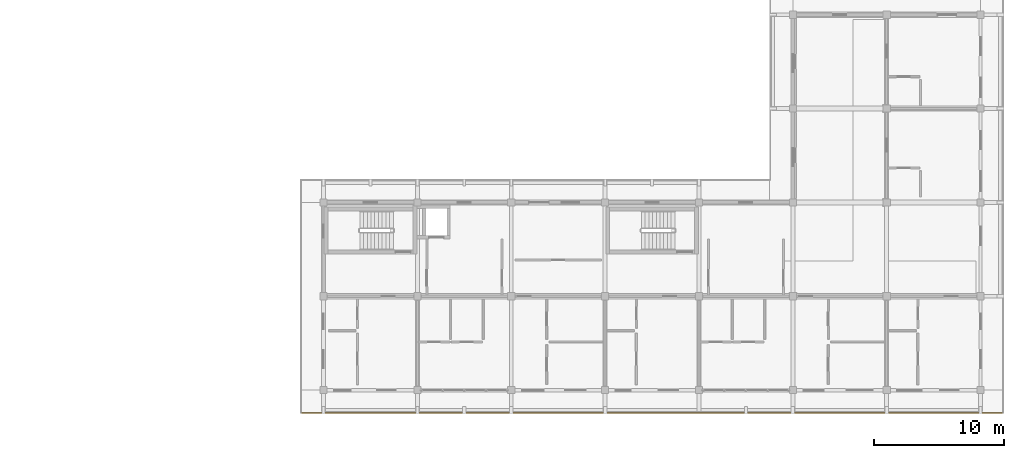
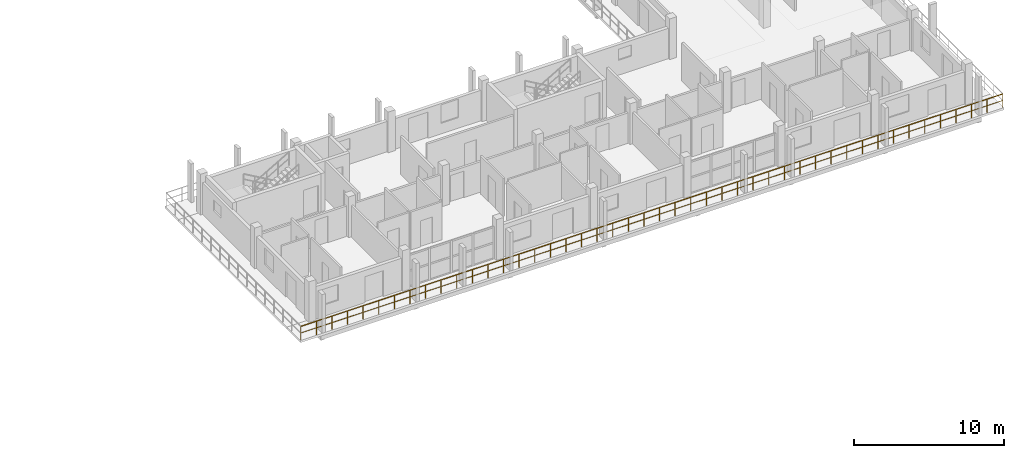
# One storey, part 55 of 60: 1 railing.
"""IFC4 building model written with IfcOpenShell, lengths in metres."""

from ifc_helpers import new_model, si_unit, direction, frame, origin, origin_2d, place, context, subcontext, project, spatial, rectangle, extrude, material, type_object, element, save


model = new_model("IFC4")

# Units and contexts
model_context = context("Model", 3, precision=1e-05, world=origin(), true_north=direction((0.0, 1.0)))
body_context = subcontext(model_context, "Body", "Model", "MODEL_VIEW")
ifc_project = project(units=[si_unit("LENGTHUNIT", "METRE"), si_unit("AREAUNIT", "SQUARE_METRE"), si_unit("VOLUMEUNIT", "CUBIC_METRE"), si_unit("PLANEANGLEUNIT", "RADIAN"), si_unit("MASSUNIT", "GRAM", prefix="KILO")], contexts=[model_context])

# Site, building, storey
site_placement = place(None, origin())
site = spatial("IfcSite", under=ifc_project, at=site_placement, CompositionType="ELEMENT")
building_placement = place(site_placement, origin())
building = spatial("IfcBuilding", under=site, at=building_placement, Name="Suanplinth Sawtooth Commons", CompositionType="ELEMENT")
storey_placement = place(building_placement, frame((0.0, 0.0, 31.5)))
storey = spatial("IfcBuildingStorey", under=building, at=storey_placement, Name="L09", CompositionType="ELEMENT", Elevation=31.5)

# Railing
ifc_material = material(Name="Powder-coated galvanized steel", Category="steel")
railing_type = type_object("IfcRailingType", Name="GR-01", PredefinedType="BALUSTRADE", material=ifc_material)
railing_placement = place(storey_placement, frame((188.93994140625, -1.739990234375, 0.0)))
element("IfcRailing", 1, at=railing_placement, inside=storey, type_object=railing_type, Name="L09 Block C Perimeter Balustrade 6", PredefinedType="BALUSTRADE", context=body_context, shape_type="SweptSolid", body=[
    extrude(rectangle(XDim=0.048095703125, YDim=0.048095703125, at=origin_2d()), frame((0.0, 0.0, 1.09619140625), z_axis=(-1.0, 0.0, 0.0), x_axis=(0.0, -1.0, 0.0)), (0.0, 0.0, 1.0), 53.8798828125),
    extrude(rectangle(XDim=0.03369140625, YDim=0.03369140625, at=origin_2d()), frame((0.0, 0.0, 0.56005859375), z_axis=(-1.0, 0.0, 0.0), x_axis=(0.0, -1.0, 0.0)), (0.0, 0.0, 1.0), 53.8798828125),
    extrude(rectangle(XDim=0.0419921875, YDim=0.0419921875, at=origin_2d()), origin(), (0.0, 0.0, 1.0), 1.072021484375),
    extrude(rectangle(XDim=0.0419921875, YDim=0.0419921875, at=origin_2d()), frame((-1.197265625, 0.0, 0.0)), (0.0, 0.0, 1.0), 1.072021484375),
    extrude(rectangle(XDim=0.0419921875, YDim=0.0419921875, at=origin_2d()), frame((-2.394775390625, 0.0, 0.0)), (0.0, 0.0, 1.0), 1.072021484375),
    extrude(rectangle(XDim=0.0419921875, YDim=0.0419921875, at=origin_2d()), frame((-3.592041015625, 0.0, 0.0)), (0.0, 0.0, 1.0), 1.072021484375),
    extrude(rectangle(XDim=0.0419921875, YDim=0.0419921875, at=origin_2d()), frame((-4.789306640625, 0.0, 0.0)), (0.0, 0.0, 1.0), 1.072021484375),
    extrude(rectangle(XDim=0.0419921875, YDim=0.0419921875, at=origin_2d()), frame((-5.986572265625, 0.0, 0.0)), (0.0, 0.0, 1.0), 1.072021484375),
    extrude(rectangle(XDim=0.0419921875, YDim=0.0419921875, at=origin_2d()), frame((-7.18408203125, 0.0, 0.0)), (0.0, 0.0, 1.0), 1.072021484375),
    extrude(rectangle(XDim=0.0419921875, YDim=0.0419921875, at=origin_2d()), frame((-8.38134765625, 0.0, 0.0)), (0.0, 0.0, 1.0), 1.072021484375),
    extrude(rectangle(XDim=0.0419921875, YDim=0.0419921875, at=origin_2d()), frame((-9.57861328125, 0.0, 0.0)), (0.0, 0.0, 1.0), 1.072021484375),
    extrude(rectangle(XDim=0.0419921875, YDim=0.0419921875, at=origin_2d()), frame((-10.77587890625, 0.0, 0.0)), (0.0, 0.0, 1.0), 1.072021484375),
    extrude(rectangle(XDim=0.0419921875, YDim=0.0419921875, at=origin_2d()), frame((-11.973388671875, 0.0, 0.0)), (0.0, 0.0, 1.0), 1.072021484375),
    extrude(rectangle(XDim=0.0419921875, YDim=0.0419921875, at=origin_2d()), frame((-13.170654296875, 0.0, 0.0)), (0.0, 0.0, 1.0), 1.072021484375),
    extrude(rectangle(XDim=0.0419921875, YDim=0.0419921875, at=origin_2d()), frame((-14.367919921875, 0.0, 0.0)), (0.0, 0.0, 1.0), 1.072021484375),
    extrude(rectangle(XDim=0.0419921875, YDim=0.0419921875, at=origin_2d()), frame((-15.565185546875, 0.0, 0.0)), (0.0, 0.0, 1.0), 1.072021484375),
    extrude(rectangle(XDim=0.0419921875, YDim=0.0419921875, at=origin_2d()), frame((-16.7626953125, 0.0, 0.0)), (0.0, 0.0, 1.0), 1.072021484375),
    extrude(rectangle(XDim=0.0419921875, YDim=0.0419921875, at=origin_2d()), frame((-17.9599609375, 0.0, 0.0)), (0.0, 0.0, 1.0), 1.072021484375),
    extrude(rectangle(XDim=0.0419921875, YDim=0.0419921875, at=origin_2d()), frame((-19.1572265625, 0.0, 0.0)), (0.0, 0.0, 1.0), 1.072021484375),
    extrude(rectangle(XDim=0.0419921875, YDim=0.0419921875, at=origin_2d()), frame((-20.354736328125, 0.0, 0.0)), (0.0, 0.0, 1.0), 1.072021484375),
    extrude(rectangle(XDim=0.0419921875, YDim=0.0419921875, at=origin_2d()), frame((-21.552001953125, 0.0, 0.0)), (0.0, 0.0, 1.0), 1.072021484375),
    extrude(rectangle(XDim=0.0419921875, YDim=0.0419921875, at=origin_2d()), frame((-22.749267578125, 0.0, 0.0)), (0.0, 0.0, 1.0), 1.072021484375),
    extrude(rectangle(XDim=0.0419921875, YDim=0.0419921875, at=origin_2d()), frame((-23.946533203125, 0.0, 0.0)), (0.0, 0.0, 1.0), 1.072021484375),
    extrude(rectangle(XDim=0.0419921875, YDim=0.0419921875, at=origin_2d()), frame((-25.14404296875, 0.0, 0.0)), (0.0, 0.0, 1.0), 1.072021484375),
    extrude(rectangle(XDim=0.0419921875, YDim=0.0419921875, at=origin_2d()), frame((-26.34130859375, 0.0, 0.0)), (0.0, 0.0, 1.0), 1.072021484375),
    extrude(rectangle(XDim=0.0419921875, YDim=0.0419921875, at=origin_2d()), frame((-27.53857421875, 0.0, 0.0)), (0.0, 0.0, 1.0), 1.072021484375),
    extrude(rectangle(XDim=0.0419921875, YDim=0.0419921875, at=origin_2d()), frame((-28.73583984375, 0.0, 0.0)), (0.0, 0.0, 1.0), 1.072021484375),
    extrude(rectangle(XDim=0.0419921875, YDim=0.0419921875, at=origin_2d()), frame((-29.933349609375, 0.0, 0.0)), (0.0, 0.0, 1.0), 1.072021484375),
    extrude(rectangle(XDim=0.0419921875, YDim=0.0419921875, at=origin_2d()), frame((-31.130615234375, 0.0, 0.0)), (0.0, 0.0, 1.0), 1.072021484375),
    extrude(rectangle(XDim=0.0419921875, YDim=0.0419921875, at=origin_2d()), frame((-32.327880859375, 0.0, 0.0)), (0.0, 0.0, 1.0), 1.072021484375),
    extrude(rectangle(XDim=0.0419921875, YDim=0.0419921875, at=origin_2d()), frame((-33.525146484375, 0.0, 0.0)), (0.0, 0.0, 1.0), 1.072021484375),
    extrude(rectangle(XDim=0.0419921875, YDim=0.0419921875, at=origin_2d()), frame((-34.72265625, 0.0, 0.0)), (0.0, 0.0, 1.0), 1.072021484375),
    extrude(rectangle(XDim=0.0419921875, YDim=0.0419921875, at=origin_2d()), frame((-35.919921875, 0.0, 0.0)), (0.0, 0.0, 1.0), 1.072021484375),
    extrude(rectangle(XDim=0.0419921875, YDim=0.0419921875, at=origin_2d()), frame((-37.1171875, 0.0, 0.0)), (0.0, 0.0, 1.0), 1.072021484375),
    extrude(rectangle(XDim=0.0419921875, YDim=0.0419921875, at=origin_2d()), frame((-38.314697265625, 0.0, 0.0)), (0.0, 0.0, 1.0), 1.072021484375),
    extrude(rectangle(XDim=0.0419921875, YDim=0.0419921875, at=origin_2d()), frame((-39.511962890625, 0.0, 0.0)), (0.0, 0.0, 1.0), 1.072021484375),
    extrude(rectangle(XDim=0.0419921875, YDim=0.0419921875, at=origin_2d()), frame((-40.709228515625, 0.0, 0.0)), (0.0, 0.0, 1.0), 1.072021484375),
    extrude(rectangle(XDim=0.0419921875, YDim=0.0419921875, at=origin_2d()), frame((-41.906494140625, 0.0, 0.0)), (0.0, 0.0, 1.0), 1.072021484375),
    extrude(rectangle(XDim=0.0419921875, YDim=0.0419921875, at=origin_2d()), frame((-43.10400390625, 0.0, 0.0)), (0.0, 0.0, 1.0), 1.072021484375),
    extrude(rectangle(XDim=0.0419921875, YDim=0.0419921875, at=origin_2d()), frame((-44.30126953125, 0.0, 0.0)), (0.0, 0.0, 1.0), 1.072021484375),
    extrude(rectangle(XDim=0.0419921875, YDim=0.0419921875, at=origin_2d()), frame((-45.49853515625, 0.0, 0.0)), (0.0, 0.0, 1.0), 1.072021484375),
    extrude(rectangle(XDim=0.0419921875, YDim=0.0419921875, at=origin_2d()), frame((-46.69580078125, 0.0, 0.0)), (0.0, 0.0, 1.0), 1.072021484375),
    extrude(rectangle(XDim=0.0419921875, YDim=0.0419921875, at=origin_2d()), frame((-47.893310546875, 0.0, 0.0)), (0.0, 0.0, 1.0), 1.072021484375),
    extrude(rectangle(XDim=0.0419921875, YDim=0.0419921875, at=origin_2d()), frame((-49.090576171875, 0.0, 0.0)), (0.0, 0.0, 1.0), 1.072021484375),
    extrude(rectangle(XDim=0.0419921875, YDim=0.0419921875, at=origin_2d()), frame((-50.287841796875, 0.0, 0.0)), (0.0, 0.0, 1.0), 1.072021484375),
    extrude(rectangle(XDim=0.0419921875, YDim=0.0419921875, at=origin_2d()), frame((-51.485107421875, 0.0, 0.0)), (0.0, 0.0, 1.0), 1.072021484375),
    extrude(rectangle(XDim=0.0419921875, YDim=0.0419921875, at=origin_2d()), frame((-52.6826171875, 0.0, 0.0)), (0.0, 0.0, 1.0), 1.072021484375),
    extrude(rectangle(XDim=0.0419921875, YDim=0.0419921875, at=origin_2d()), frame((-53.8798828125, 0.0, 0.0)), (0.0, 0.0, 1.0), 1.072021484375),
])

save(model, "model.ifc")
